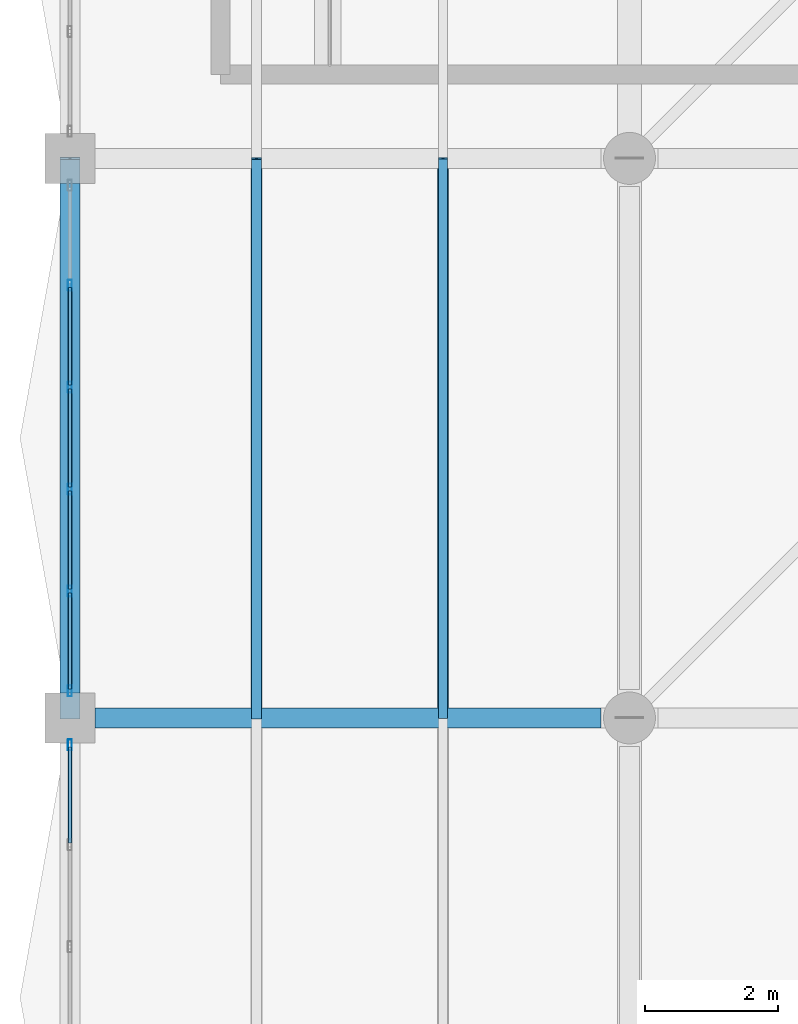
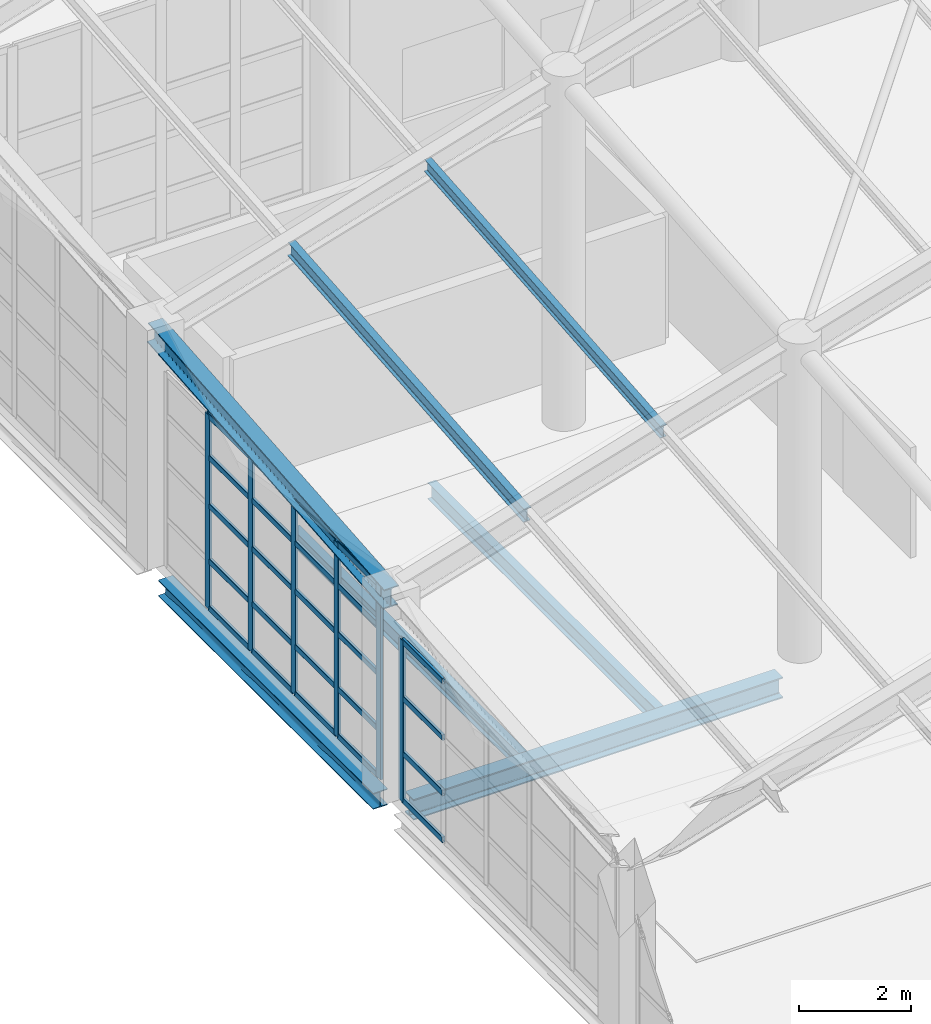
# One storey, part 36 of 95: 33 members, 4 beams, 2 elements without a shape of their own.
"""IFC4 building model written with IfcOpenShell, lengths in metres."""

from ifc_helpers import new_model, si_unit, direction, frame, origin, origin_2d, place, context, subcontext, project, spatial, hollow_rectangle, i_section, extrude, material, layer, layer_set, material_profile, profile_set, type_object, element, aggregate, save


model = new_model("IFC4")

# Units and contexts
model_context = context("Model", 3, precision=1e-05, world=origin(), true_north=direction((0.0, 1.0)))
body_context = subcontext(model_context, "Body", "Model", "MODEL_VIEW")
ifc_project = project(units=[si_unit("LENGTHUNIT", "METRE"), si_unit("AREAUNIT", "SQUARE_METRE"), si_unit("VOLUMEUNIT", "CUBIC_METRE"), si_unit("PLANEANGLEUNIT", "RADIAN"), si_unit("MASSUNIT", "GRAM", prefix="KILO"), si_unit("THERMODYNAMICTEMPERATUREUNIT", "KELVIN"), si_unit("POWERUNIT", "WATT")], contexts=[model_context])

# Site, building, storey
site_placement = place(None, origin())
site = spatial("IfcSite", under=ifc_project, at=site_placement, CompositionType="ELEMENT")
building_placement = place(site_placement, origin())
building = spatial("IfcBuilding", under=site, at=building_placement, Name="Mavoryth Pier Ferry Terminal", CompositionType="ELEMENT")
storey_placement = place(building_placement, frame((0.0, 0.0, 9.60009765625)))
storey = spatial("IfcBuildingStorey", under=building, at=storey_placement, Name="L02", CompositionType="ELEMENT", Elevation=9.60009765625)

# Beam
ifc_material_1 = material(Name="Steel S355J2", Category="steel")
ifc_material_profile_1 = material_profile(ifc_material_1, i_section(OverallWidth=0.300048828125, OverallDepth=0.449951171875, WebThickness=0.013916015625, FlangeThickness=0.02587890625, FilletRadius=0.027099609375, at=origin_2d()), Name="HEB 450", Category="steel")
ifc_profile_set_1 = profile_set([ifc_material_profile_1], Name="Steel S355J2 - HEB 450")
beam_type_1 = type_object("IfcBeamType", Name="Beam-Steel-HEB450", PredefinedType="BEAM", material=ifc_profile_set_1)
beam_1_placement = place(storey_placement, frame((0.375, 89.199951171875, -0.505126953125), z_axis=(1.0, 0.0, 0.0), x_axis=(0.0, 1.0, 0.0)))
element("IfcBeam", 1, at=beam_1_placement, inside=storey, type_object=beam_type_1, Name="Beam B02-SB02-0612", PredefinedType="BEAM", context=body_context, shape_type="SweptSolid", body=[
    extrude(i_section(OverallWidth=0.300048828125, OverallDepth=0.449951171875, WebThickness=0.013916015625, FlangeThickness=0.02587890625, FilletRadius=0.027099609375, at=origin_2d()), origin(), (0.0, 0.0, 1.0), 7.60009765625),
])

# Member
ifc_material_profile_2 = material_profile(ifc_material_1, i_section(OverallWidth=0.300048828125, OverallDepth=0.449951171875, WebThickness=0.013916015625, FlangeThickness=0.02587890625, FilletRadius=0.027099609375, at=origin_2d()), Name="HEB 450", Category="steel")
ifc_profile_set_2 = profile_set([ifc_material_profile_2], Name="Steel S355J2 - HEB 450")
member_type_1 = type_object("IfcMemberType", Name="Chord-Eave-HEB450", PredefinedType="CHORD", material=ifc_profile_set_2)
member_1_placement = place(storey_placement, frame((0.0, 89.199951171875, 4.15771484375), z_axis=(0.0, 0.996401078186, 0.084763738653), x_axis=(-1.0, 0.0, 0.0)))
element("IfcMember", 2, at=member_1_placement, inside=storey, type_object=member_type_1, Name="Steel Member MB-L02-0145", PredefinedType="CHORD", context=body_context, shape_type="SweptSolid", body=[
    extrude(i_section(OverallWidth=0.300048828125, OverallDepth=0.449951171875, WebThickness=0.013916015625, FlangeThickness=0.02587890625, FilletRadius=0.027099609375, at=origin_2d()), origin(), (0.0, 0.0, 1.0), 8.430419921875),
])

# Beams
ifc_material_profile_3 = material_profile(ifc_material_1, i_section(OverallWidth=0.169921875, OverallDepth=0.360107421875, WebThickness=0.008056640625, FlangeThickness=0.0126953125, FilletRadius=0.01806640625, at=origin_2d()), Name="IPE 360", Category="steel")
ifc_profile_set_3 = profile_set([ifc_material_profile_3], Name="Steel S355J2 - IPE 360")
beam_type_2 = type_object("IfcBeamType", Name="Joist-Steel-IPE360", PredefinedType="JOIST", material=ifc_profile_set_3)
for number, where, z_axis, x_axis, name in (
    (3, (2.800048828125, 89.35009765625, -0.460205078125), (0.0, 1.0, 0.0), (-1.0, 0.0, 0.0), "Beam B02-SJ02-0657"),
    (4, (5.60009765625, 89.35009765625, -0.460205078125), (0.0, 1.0, 0.0), (-1.0, 0.0, 0.0), "Beam B02-SJ02-0658"),
):
    element("IfcBeam", number, at=place(storey_placement, frame(where, z_axis=z_axis, x_axis=x_axis)), inside=storey, type_object=beam_type_2, Name=name, PredefinedType="JOIST", context=body_context, shape_type="SweptSolid", body=[
        extrude(i_section(OverallWidth=0.169921875, OverallDepth=0.360107421875, WebThickness=0.008056640625, FlangeThickness=0.0126953125, FilletRadius=0.01806640625, at=origin_2d()), origin(), (0.0, 0.0, 1.0), 8.099853515625),
    ])

# Curtain wall, member
ifc_material_2 = material(Name="Anodised Aluminium and Solar-Control Low-E Glass", Category="aluminium")
ifc_layer = layer(ifc_material_2, 0.179931640625, Name="Anodised Aluminium and Solar-Control Low-E Glass", Category="aluminium")
ifc_layer_set = layer_set([ifc_layer], Name="Anodised Aluminium and Solar-Control Low-E Glass - CW-Concourse-Mod1400")
curtain_wall_type = type_object("IfcCurtainWallType", Name="CW-Concourse-Mod1400", PredefinedType="USERDEFINED", material=ifc_layer_set)
curtain_wall_1_placement = place(storey_placement, origin())
curtain_wall_1 = element("IfcCurtainWall", 5, at=curtain_wall_1_placement, inside=storey, type_object=curtain_wall_type, Name="Curtain Wall CW-0222-023", ObjectType="UNITISED CURTAIN WALL", PredefinedType="USERDEFINED")
ifc_material_3 = material(Name="Anodised Aluminium EN AW-6063", Category="aluminium")
ifc_material_profile_4 = material_profile(ifc_material_3, hollow_rectangle(XDim=0.06005859375, YDim=0.1650390625, WallThickness=0.00390625, InnerFilletRadius=0.00390625, OuterFilletRadius=0.008056640625, at=origin_2d()), Name="AL-MULL 165x60x4", Category="aluminium")
ifc_profile_set_4 = profile_set([ifc_material_profile_4], Name="Anodised Aluminium EN AW-6063 - AL-MULL 165x60x4")
member_type_2 = type_object("IfcMemberType", Name="Mullion-Alum-165x60", PredefinedType="MULLION", material=ifc_profile_set_4)
member_2_placement = place(storey_placement, frame((0.0, 88.794921875, 0.0), z_axis=(0.0, 0.0, 1.0), x_axis=(1.0, 0.0, 0.0)))
member_2 = element("IfcMember", 6, at=member_2_placement, type_object=member_type_2, Name="CW01 mullion 1", PredefinedType="MULLION", context=body_context, shape_type="SweptSolid", body=[
    extrude(hollow_rectangle(XDim=0.06005859375, YDim=0.1650390625, WallThickness=0.00390625, InnerFilletRadius=0.00390625, OuterFilletRadius=0.008056640625, at=origin_2d()), origin(), (0.0, 0.0, 1.0), 3.50732421875),
])

# Curtain wall, members
curtain_wall_2_placement = place(storey_placement, origin())
curtain_wall_2 = element("IfcCurtainWall", 7, at=curtain_wall_2_placement, inside=storey, type_object=curtain_wall_type, Name="Curtain Wall CW-0222-028", ObjectType="UNITISED CURTAIN WALL", PredefinedType="USERDEFINED")
member_3_placement = place(storey_placement, frame((0.0, 95.695068359375, 0.0), z_axis=(0.0, 0.0, 1.0), x_axis=(1.0, 0.0, 0.0)))
member_3 = element("IfcMember", 8, at=member_3_placement, type_object=member_type_2, Name="CW01 mullion 2", PredefinedType="MULLION", context=body_context, shape_type="SweptSolid", body=[
    extrude(hollow_rectangle(XDim=0.06005859375, YDim=0.1650390625, WallThickness=0.00390625, InnerFilletRadius=0.00390625, OuterFilletRadius=0.008056640625, at=origin_2d()), origin(), (0.0, 0.0, 1.0), 4.2216796875),
])
member_4_placement = place(storey_placement, frame((0.0, 94.1650390625, 0.0), z_axis=(0.0, 0.0, 1.0), x_axis=(1.0, 0.0, 0.0)))
member_4 = element("IfcMember", 9, at=member_4_placement, type_object=member_type_2, Name="CW01 mullion 3", PredefinedType="MULLION", context=body_context, shape_type="SweptSolid", body=[
    extrude(hollow_rectangle(XDim=0.06005859375, YDim=0.1650390625, WallThickness=0.00390625, InnerFilletRadius=0.00390625, OuterFilletRadius=0.008056640625, at=origin_2d()), origin(), (0.0, 0.0, 1.0), 4.2216796875),
])
member_5_placement = place(storey_placement, frame((0.0, 92.635009765625, 0.0), z_axis=(0.0, 0.0, 1.0), x_axis=(1.0, 0.0, 0.0)))
member_5 = element("IfcMember", 10, at=member_5_placement, type_object=member_type_2, Name="CW01 mullion 4", PredefinedType="MULLION", context=body_context, shape_type="SweptSolid", body=[
    extrude(hollow_rectangle(XDim=0.06005859375, YDim=0.1650390625, WallThickness=0.00390625, InnerFilletRadius=0.00390625, OuterFilletRadius=0.008056640625, at=origin_2d()), origin(), (0.0, 0.0, 1.0), 4.2216796875),
])
member_6_placement = place(storey_placement, frame((0.0, 91.10498046875, 0.0), z_axis=(0.0, 0.0, 1.0), x_axis=(1.0, 0.0, 0.0)))
member_6 = element("IfcMember", 11, at=member_6_placement, type_object=member_type_2, Name="CW01 mullion 5", PredefinedType="MULLION", context=body_context, shape_type="SweptSolid", body=[
    extrude(hollow_rectangle(XDim=0.06005859375, YDim=0.1650390625, WallThickness=0.00390625, InnerFilletRadius=0.00390625, OuterFilletRadius=0.008056640625, at=origin_2d()), origin(), (0.0, 0.0, 1.0), 4.2216796875),
])
member_7_placement = place(storey_placement, frame((0.0, 89.60498046875, 0.0), z_axis=(0.0, 0.0, 1.0), x_axis=(1.0, 0.0, 0.0)))
member_7 = element("IfcMember", 12, at=member_7_placement, type_object=member_type_2, Name="CW01 mullion 6", PredefinedType="MULLION", context=body_context, shape_type="SweptSolid", body=[
    extrude(hollow_rectangle(XDim=0.06005859375, YDim=0.1650390625, WallThickness=0.00390625, InnerFilletRadius=0.00390625, OuterFilletRadius=0.008056640625, at=origin_2d()), origin(), (0.0, 0.0, 1.0), 4.2216796875),
])

# Members
ifc_material_profile_5 = material_profile(ifc_material_1, i_section(OverallWidth=0.135009765625, OverallDepth=0.27001953125, WebThickness=0.006591796875, FlangeThickness=0.01025390625, FilletRadius=0.014892578125, at=origin_2d()), Name="IPE 270", Category="steel")
ifc_profile_set_5 = profile_set([ifc_material_profile_5], Name="Steel S355J2 - IPE 270")
member_type_3 = type_object("IfcMemberType", Name="Purlin-Roof-IPE270", PredefinedType="PURLIN", material=ifc_profile_set_5)
member_8_placement = place(storey_placement, frame((5.60009765625, 89.199951171875, 5.803466796875), z_axis=(0.0, 0.996403523637, 0.084734987362), x_axis=(-1.0, 0.0, 0.0)))
element("IfcMember", 13, at=member_8_placement, inside=storey, type_object=member_type_3, Name="Steel Member MB-L02-0151", PredefinedType="PURLIN", context=body_context, shape_type="SweptSolid", body=[
    extrude(i_section(OverallWidth=0.135009765625, OverallDepth=0.27001953125, WebThickness=0.006591796875, FlangeThickness=0.01025390625, FilletRadius=0.014892578125, at=origin_2d()), origin(), (0.0, 0.0, 1.0), 8.430419921875),
])
ifc_material_profile_6 = material_profile(ifc_material_1, i_section(OverallWidth=0.14990234375, OverallDepth=0.300048828125, WebThickness=0.007080078125, FlangeThickness=0.0107421875, FilletRadius=0.014892578125, at=origin_2d()), Name="IPE 300", Category="steel")
ifc_profile_set_6 = profile_set([ifc_material_profile_6], Name="Steel S355J2 - IPE 300")
member_type_4 = type_object("IfcMemberType", Name="Purlin-Roof-IPE300", PredefinedType="PURLIN", material=ifc_profile_set_6)
member_9_placement = place(storey_placement, frame((2.800048828125, 89.199951171875, 4.970703125), z_axis=(0.0, 0.996405968271, 0.084706235859), x_axis=(-1.0, 0.0, 0.0)))
element("IfcMember", 14, at=member_9_placement, inside=storey, type_object=member_type_4, Name="Steel Member MB-L02-0150", PredefinedType="PURLIN", context=body_context, shape_type="SweptSolid", body=[
    extrude(i_section(OverallWidth=0.14990234375, OverallDepth=0.300048828125, WebThickness=0.007080078125, FlangeThickness=0.0107421875, FilletRadius=0.014892578125, at=origin_2d()), origin(), (0.0, 0.0, 1.0), 8.430419921875),
])

# Beam
ifc_material_profile_7 = material_profile(ifc_material_1, i_section(OverallWidth=0.300048828125, OverallDepth=0.35009765625, WebThickness=0.010009765625, FlangeThickness=0.017578125, FilletRadius=0.027099609375, at=origin_2d()), Name="HEA 360", Category="steel")
ifc_profile_set_7 = profile_set([ifc_material_profile_7], Name="Steel S355J2 - HEA 360")
beam_type_3 = type_object("IfcBeamType", Name="Spandrel-Steel-HEA360", PredefinedType="SPANDREL", material=ifc_profile_set_7)
beam_2_placement = place(storey_placement, frame((0.0, 89.574951171875, -0.455078125), z_axis=(0.0, 1.0, 0.0), x_axis=(-1.0, 0.0, 0.0)))
element("IfcBeam", 15, at=beam_2_placement, inside=storey, type_object=beam_type_3, Name="Beam B02-SP03-0630", PredefinedType="SPANDREL", context=body_context, shape_type="SweptSolid", body=[
    extrude(i_section(OverallWidth=0.300048828125, OverallDepth=0.35009765625, WebThickness=0.010009765625, FlangeThickness=0.017578125, FilletRadius=0.027099609375, at=origin_2d()), origin(), (0.0, 0.0, 1.0), 7.650146484375),
])

# Member
ifc_material_profile_8 = material_profile(ifc_material_3, hollow_rectangle(XDim=0.06005859375, YDim=0.125, WallThickness=0.00390625, InnerFilletRadius=0.00390625, OuterFilletRadius=0.008056640625, at=origin_2d()), Name="AL-TRAN 125x60x4", Category="aluminium")
ifc_profile_set_8 = profile_set([ifc_material_profile_8], Name="Anodised Aluminium EN AW-6063 - AL-TRAN 125x60x4")
member_type_5 = type_object("IfcMemberType", Name="Transom-Alum-125x60", PredefinedType="USERDEFINED", material=ifc_profile_set_8)
member_10_placement = place(storey_placement, frame((0.0, 88.764892578125, 0.02978515625), z_axis=(0.0, -1.0, 0.0), x_axis=(1.0, 0.0, 0.0)))
member_10 = element("IfcMember", 16, at=member_10_placement, type_object=member_type_5, Name="CW01 transom 1.1", ObjectType="TRANSOM", PredefinedType="USERDEFINED", context=body_context, shape_type="SweptSolid", body=[
    extrude(hollow_rectangle(XDim=0.06005859375, YDim=0.125, WallThickness=0.00390625, InnerFilletRadius=0.00390625, OuterFilletRadius=0.008056640625, at=origin_2d()), origin(), (0.0, 0.0, 1.0), 1.43994140625),
])

member_11_placement = place(storey_placement, frame((0.0, 88.764892578125, 1.0498046875), z_axis=(0.0, -1.0, 0.0), x_axis=(1.0, 0.0, 0.0)))
member_11 = element("IfcMember", 17, at=member_11_placement, type_object=member_type_5, Name="CW01 transom 1.2", ObjectType="TRANSOM", PredefinedType="USERDEFINED", context=body_context, shape_type="SweptSolid", body=[
    extrude(hollow_rectangle(XDim=0.06005859375, YDim=0.125, WallThickness=0.00390625, InnerFilletRadius=0.00390625, OuterFilletRadius=0.008056640625, at=origin_2d()), origin(), (0.0, 0.0, 1.0), 1.43994140625),
])

member_12_placement = place(storey_placement, frame((0.0, 88.764892578125, 2.25), z_axis=(0.0, -1.0, 0.0), x_axis=(1.0, 0.0, 0.0)))
member_12 = element("IfcMember", 18, at=member_12_placement, type_object=member_type_5, Name="CW01 transom 1.3", ObjectType="TRANSOM", PredefinedType="USERDEFINED", context=body_context, shape_type="SweptSolid", body=[
    extrude(hollow_rectangle(XDim=0.06005859375, YDim=0.125, WallThickness=0.00390625, InnerFilletRadius=0.00390625, OuterFilletRadius=0.008056640625, at=origin_2d()), origin(), (0.0, 0.0, 1.0), 1.43994140625),
])

member_13_placement = place(storey_placement, frame((0.0, 88.764892578125, 3.477294921875), z_axis=(0.0, -1.0, 0.0), x_axis=(1.0, 0.0, 0.0)))
member_13 = element("IfcMember", 19, at=member_13_placement, type_object=member_type_5, Name="CW01 transom 1.4", ObjectType="TRANSOM", PredefinedType="USERDEFINED", context=body_context, shape_type="SweptSolid", body=[
    extrude(hollow_rectangle(XDim=0.06005859375, YDim=0.125, WallThickness=0.00390625, InnerFilletRadius=0.00390625, OuterFilletRadius=0.008056640625, at=origin_2d()), origin(), (0.0, 0.0, 1.0), 1.43994140625),
])

aggregate(curtain_wall_1, [member_2, member_10, member_11, member_12, member_13])

member_14_placement = place(storey_placement, frame((0.0, 95.6650390625, 0.02978515625), z_axis=(0.0, -1.0, 0.0), x_axis=(1.0, 0.0, 0.0)))
member_14 = element("IfcMember", 20, at=member_14_placement, type_object=member_type_5, Name="CW01 transom 2.1", ObjectType="TRANSOM", PredefinedType="USERDEFINED", context=body_context, shape_type="SweptSolid", body=[
    extrude(hollow_rectangle(XDim=0.06005859375, YDim=0.125, WallThickness=0.00390625, InnerFilletRadius=0.00390625, OuterFilletRadius=0.008056640625, at=origin_2d()), origin(), (0.0, 0.0, 1.0), 1.469970703125),
])

member_15_placement = place(storey_placement, frame((0.0, 95.6650390625, 1.0498046875), z_axis=(0.0, -1.0, 0.0), x_axis=(1.0, 0.0, 0.0)))
member_15 = element("IfcMember", 21, at=member_15_placement, type_object=member_type_5, Name="CW01 transom 2.2", ObjectType="TRANSOM", PredefinedType="USERDEFINED", context=body_context, shape_type="SweptSolid", body=[
    extrude(hollow_rectangle(XDim=0.06005859375, YDim=0.125, WallThickness=0.00390625, InnerFilletRadius=0.00390625, OuterFilletRadius=0.008056640625, at=origin_2d()), origin(), (0.0, 0.0, 1.0), 1.469970703125),
])

member_16_placement = place(storey_placement, frame((0.0, 95.6650390625, 2.25), z_axis=(0.0, -1.0, 0.0), x_axis=(1.0, 0.0, 0.0)))
member_16 = element("IfcMember", 22, at=member_16_placement, type_object=member_type_5, Name="CW01 transom 2.3", ObjectType="TRANSOM", PredefinedType="USERDEFINED", context=body_context, shape_type="SweptSolid", body=[
    extrude(hollow_rectangle(XDim=0.06005859375, YDim=0.125, WallThickness=0.00390625, InnerFilletRadius=0.00390625, OuterFilletRadius=0.008056640625, at=origin_2d()), origin(), (0.0, 0.0, 1.0), 1.469970703125),
])

member_17_placement = place(storey_placement, frame((0.0, 95.6650390625, 3.2998046875), z_axis=(0.0, -1.0, 0.0), x_axis=(1.0, 0.0, 0.0)))
member_17 = element("IfcMember", 23, at=member_17_placement, type_object=member_type_5, Name="CW01 transom 2.4", ObjectType="TRANSOM", PredefinedType="USERDEFINED", context=body_context, shape_type="SweptSolid", body=[
    extrude(hollow_rectangle(XDim=0.06005859375, YDim=0.125, WallThickness=0.00390625, InnerFilletRadius=0.00390625, OuterFilletRadius=0.008056640625, at=origin_2d()), origin(), (0.0, 0.0, 1.0), 1.469970703125),
])

member_18_placement = place(storey_placement, frame((0.0, 95.6650390625, 4.191650390625), z_axis=(0.0, -1.0, 0.0), x_axis=(1.0, 0.0, 0.0)))
member_18 = element("IfcMember", 24, at=member_18_placement, type_object=member_type_5, Name="CW01 transom 2.5", ObjectType="TRANSOM", PredefinedType="USERDEFINED", context=body_context, shape_type="SweptSolid", body=[
    extrude(hollow_rectangle(XDim=0.06005859375, YDim=0.125, WallThickness=0.00390625, InnerFilletRadius=0.00390625, OuterFilletRadius=0.008056640625, at=origin_2d()), origin(), (0.0, 0.0, 1.0), 1.469970703125),
])

member_19_placement = place(storey_placement, frame((0.0, 94.135009765625, 0.02978515625), z_axis=(0.0, -1.0, 0.0), x_axis=(1.0, 0.0, 0.0)))
member_19 = element("IfcMember", 25, at=member_19_placement, type_object=member_type_5, Name="CW01 transom 3.1", ObjectType="TRANSOM", PredefinedType="USERDEFINED", context=body_context, shape_type="SweptSolid", body=[
    extrude(hollow_rectangle(XDim=0.06005859375, YDim=0.125, WallThickness=0.00390625, InnerFilletRadius=0.00390625, OuterFilletRadius=0.008056640625, at=origin_2d()), origin(), (0.0, 0.0, 1.0), 1.469970703125),
])

member_20_placement = place(storey_placement, frame((0.0, 94.135009765625, 1.0498046875), z_axis=(0.0, -1.0, 0.0), x_axis=(1.0, 0.0, 0.0)))
member_20 = element("IfcMember", 26, at=member_20_placement, type_object=member_type_5, Name="CW01 transom 3.2", ObjectType="TRANSOM", PredefinedType="USERDEFINED", context=body_context, shape_type="SweptSolid", body=[
    extrude(hollow_rectangle(XDim=0.06005859375, YDim=0.125, WallThickness=0.00390625, InnerFilletRadius=0.00390625, OuterFilletRadius=0.008056640625, at=origin_2d()), origin(), (0.0, 0.0, 1.0), 1.469970703125),
])

member_21_placement = place(storey_placement, frame((0.0, 94.135009765625, 2.25), z_axis=(0.0, -1.0, 0.0), x_axis=(1.0, 0.0, 0.0)))
member_21 = element("IfcMember", 27, at=member_21_placement, type_object=member_type_5, Name="CW01 transom 3.3", ObjectType="TRANSOM", PredefinedType="USERDEFINED", context=body_context, shape_type="SweptSolid", body=[
    extrude(hollow_rectangle(XDim=0.06005859375, YDim=0.125, WallThickness=0.00390625, InnerFilletRadius=0.00390625, OuterFilletRadius=0.008056640625, at=origin_2d()), origin(), (0.0, 0.0, 1.0), 1.469970703125),
])

member_22_placement = place(storey_placement, frame((0.0, 94.135009765625, 3.2998046875), z_axis=(0.0, -1.0, 0.0), x_axis=(1.0, 0.0, 0.0)))
member_22 = element("IfcMember", 28, at=member_22_placement, type_object=member_type_5, Name="CW01 transom 3.4", ObjectType="TRANSOM", PredefinedType="USERDEFINED", context=body_context, shape_type="SweptSolid", body=[
    extrude(hollow_rectangle(XDim=0.06005859375, YDim=0.125, WallThickness=0.00390625, InnerFilletRadius=0.00390625, OuterFilletRadius=0.008056640625, at=origin_2d()), origin(), (0.0, 0.0, 1.0), 1.469970703125),
])

member_23_placement = place(storey_placement, frame((0.0, 94.135009765625, 4.191650390625), z_axis=(0.0, -1.0, 0.0), x_axis=(1.0, 0.0, 0.0)))
member_23 = element("IfcMember", 29, at=member_23_placement, type_object=member_type_5, Name="CW01 transom 3.5", ObjectType="TRANSOM", PredefinedType="USERDEFINED", context=body_context, shape_type="SweptSolid", body=[
    extrude(hollow_rectangle(XDim=0.06005859375, YDim=0.125, WallThickness=0.00390625, InnerFilletRadius=0.00390625, OuterFilletRadius=0.008056640625, at=origin_2d()), origin(), (0.0, 0.0, 1.0), 1.469970703125),
])

member_24_placement = place(storey_placement, frame((0.0, 92.60498046875, 0.02978515625), z_axis=(0.0, -1.0, 0.0), x_axis=(1.0, 0.0, 0.0)))
member_24 = element("IfcMember", 30, at=member_24_placement, type_object=member_type_5, Name="CW01 transom 4.1", ObjectType="TRANSOM", PredefinedType="USERDEFINED", context=body_context, shape_type="SweptSolid", body=[
    extrude(hollow_rectangle(XDim=0.06005859375, YDim=0.125, WallThickness=0.00390625, InnerFilletRadius=0.00390625, OuterFilletRadius=0.008056640625, at=origin_2d()), origin(), (0.0, 0.0, 1.0), 1.469970703125),
])

member_25_placement = place(storey_placement, frame((0.0, 92.60498046875, 1.0498046875), z_axis=(0.0, -1.0, 0.0), x_axis=(1.0, 0.0, 0.0)))
member_25 = element("IfcMember", 31, at=member_25_placement, type_object=member_type_5, Name="CW01 transom 4.2", ObjectType="TRANSOM", PredefinedType="USERDEFINED", context=body_context, shape_type="SweptSolid", body=[
    extrude(hollow_rectangle(XDim=0.06005859375, YDim=0.125, WallThickness=0.00390625, InnerFilletRadius=0.00390625, OuterFilletRadius=0.008056640625, at=origin_2d()), origin(), (0.0, 0.0, 1.0), 1.469970703125),
])

member_26_placement = place(storey_placement, frame((0.0, 92.60498046875, 2.25), z_axis=(0.0, -1.0, 0.0), x_axis=(1.0, 0.0, 0.0)))
member_26 = element("IfcMember", 32, at=member_26_placement, type_object=member_type_5, Name="CW01 transom 4.3", ObjectType="TRANSOM", PredefinedType="USERDEFINED", context=body_context, shape_type="SweptSolid", body=[
    extrude(hollow_rectangle(XDim=0.06005859375, YDim=0.125, WallThickness=0.00390625, InnerFilletRadius=0.00390625, OuterFilletRadius=0.008056640625, at=origin_2d()), origin(), (0.0, 0.0, 1.0), 1.469970703125),
])

member_27_placement = place(storey_placement, frame((0.0, 92.60498046875, 3.2998046875), z_axis=(0.0, -1.0, 0.0), x_axis=(1.0, 0.0, 0.0)))
member_27 = element("IfcMember", 33, at=member_27_placement, type_object=member_type_5, Name="CW01 transom 4.4", ObjectType="TRANSOM", PredefinedType="USERDEFINED", context=body_context, shape_type="SweptSolid", body=[
    extrude(hollow_rectangle(XDim=0.06005859375, YDim=0.125, WallThickness=0.00390625, InnerFilletRadius=0.00390625, OuterFilletRadius=0.008056640625, at=origin_2d()), origin(), (0.0, 0.0, 1.0), 1.469970703125),
])

member_28_placement = place(storey_placement, frame((0.0, 92.60498046875, 4.191650390625), z_axis=(0.0, -1.0, 0.0), x_axis=(1.0, 0.0, 0.0)))
member_28 = element("IfcMember", 34, at=member_28_placement, type_object=member_type_5, Name="CW01 transom 4.5", ObjectType="TRANSOM", PredefinedType="USERDEFINED", context=body_context, shape_type="SweptSolid", body=[
    extrude(hollow_rectangle(XDim=0.06005859375, YDim=0.125, WallThickness=0.00390625, InnerFilletRadius=0.00390625, OuterFilletRadius=0.008056640625, at=origin_2d()), origin(), (0.0, 0.0, 1.0), 1.469970703125),
])

member_29_placement = place(storey_placement, frame((0.0, 91.074951171875, 0.02978515625), z_axis=(0.0, -1.0, 0.0), x_axis=(1.0, 0.0, 0.0)))
member_29 = element("IfcMember", 35, at=member_29_placement, type_object=member_type_5, Name="CW01 transom 5.1", ObjectType="TRANSOM", PredefinedType="USERDEFINED", context=body_context, shape_type="SweptSolid", body=[
    extrude(hollow_rectangle(XDim=0.06005859375, YDim=0.125, WallThickness=0.00390625, InnerFilletRadius=0.00390625, OuterFilletRadius=0.008056640625, at=origin_2d()), origin(), (0.0, 0.0, 1.0), 1.43994140625),
])

member_30_placement = place(storey_placement, frame((0.0, 91.074951171875, 1.0498046875), z_axis=(0.0, -1.0, 0.0), x_axis=(1.0, 0.0, 0.0)))
member_30 = element("IfcMember", 36, at=member_30_placement, type_object=member_type_5, Name="CW01 transom 5.2", ObjectType="TRANSOM", PredefinedType="USERDEFINED", context=body_context, shape_type="SweptSolid", body=[
    extrude(hollow_rectangle(XDim=0.06005859375, YDim=0.125, WallThickness=0.00390625, InnerFilletRadius=0.00390625, OuterFilletRadius=0.008056640625, at=origin_2d()), origin(), (0.0, 0.0, 1.0), 1.43994140625),
])

member_31_placement = place(storey_placement, frame((0.0, 91.074951171875, 2.25), z_axis=(0.0, -1.0, 0.0), x_axis=(1.0, 0.0, 0.0)))
member_31 = element("IfcMember", 37, at=member_31_placement, type_object=member_type_5, Name="CW01 transom 5.3", ObjectType="TRANSOM", PredefinedType="USERDEFINED", context=body_context, shape_type="SweptSolid", body=[
    extrude(hollow_rectangle(XDim=0.06005859375, YDim=0.125, WallThickness=0.00390625, InnerFilletRadius=0.00390625, OuterFilletRadius=0.008056640625, at=origin_2d()), origin(), (0.0, 0.0, 1.0), 1.43994140625),
])

member_32_placement = place(storey_placement, frame((0.0, 91.074951171875, 3.2998046875), z_axis=(0.0, -1.0, 0.0), x_axis=(1.0, 0.0, 0.0)))
member_32 = element("IfcMember", 38, at=member_32_placement, type_object=member_type_5, Name="CW01 transom 5.4", ObjectType="TRANSOM", PredefinedType="USERDEFINED", context=body_context, shape_type="SweptSolid", body=[
    extrude(hollow_rectangle(XDim=0.06005859375, YDim=0.125, WallThickness=0.00390625, InnerFilletRadius=0.00390625, OuterFilletRadius=0.008056640625, at=origin_2d()), origin(), (0.0, 0.0, 1.0), 1.43994140625),
])

member_33_placement = place(storey_placement, frame((0.0, 91.074951171875, 4.191650390625), z_axis=(0.0, -1.0, 0.0), x_axis=(1.0, 0.0, 0.0)))
member_33 = element("IfcMember", 39, at=member_33_placement, type_object=member_type_5, Name="CW01 transom 5.5", ObjectType="TRANSOM", PredefinedType="USERDEFINED", context=body_context, shape_type="SweptSolid", body=[
    extrude(hollow_rectangle(XDim=0.06005859375, YDim=0.125, WallThickness=0.00390625, InnerFilletRadius=0.00390625, OuterFilletRadius=0.008056640625, at=origin_2d()), origin(), (0.0, 0.0, 1.0), 1.43994140625),
])

aggregate(curtain_wall_2, [member_3, member_4, member_5, member_6, member_7, member_14, member_15, member_16, member_17, member_18, member_19, member_20, member_21, member_22, member_23, member_24, member_25, member_26, member_27, member_28, member_29, member_30, member_31, member_32, member_33])

save(model, "model.ifc")
